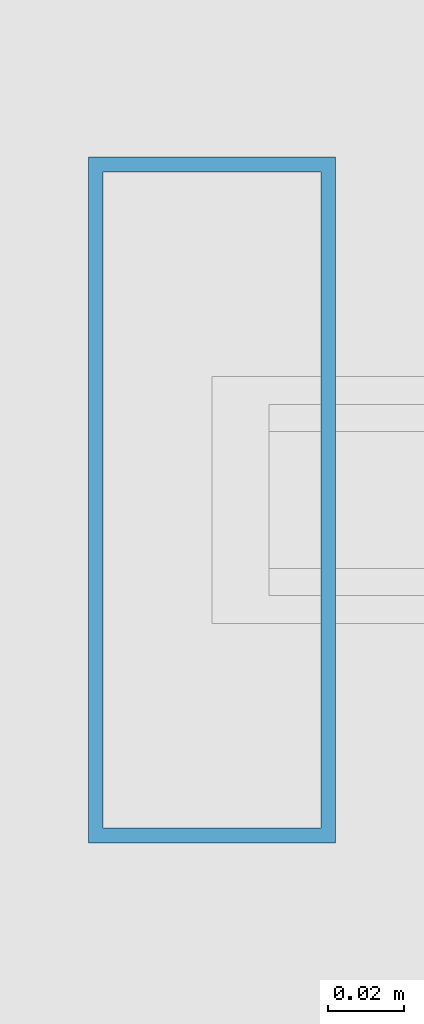
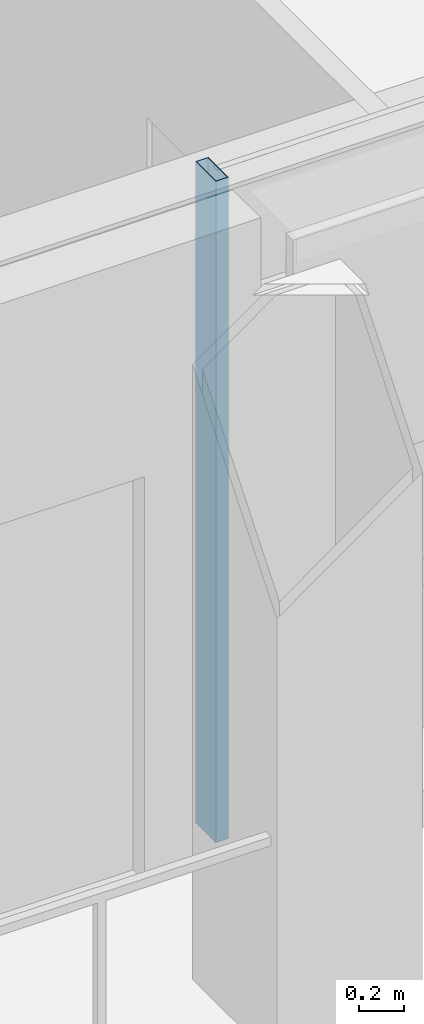
# One storey, part 7 of 33: 1 member, 1 element without a shape of its own.
"""IFC4 building model written with IfcOpenShell, lengths in metres."""

from ifc_helpers import new_model, si_unit, direction, frame, origin, origin_2d, place, context, subcontext, project, spatial, hollow_rectangle, extrude, material, layer, layer_set, material_profile, profile_set, type_object, element, aggregate, save


model = new_model("IFC4")

# Units and contexts
model_context = context("Model", 3, precision=1e-05, world=origin(), true_north=direction((0.0, 1.0)))
body_context = subcontext(model_context, "Body", "Model", "MODEL_VIEW")
ifc_project = project(units=[si_unit("LENGTHUNIT", "METRE"), si_unit("AREAUNIT", "SQUARE_METRE"), si_unit("VOLUMEUNIT", "CUBIC_METRE"), si_unit("PLANEANGLEUNIT", "RADIAN"), si_unit("MASSUNIT", "GRAM", prefix="KILO")], contexts=[model_context])

# Site, building, storey
site_placement = place(None, origin())
site = spatial("IfcSite", under=ifc_project, at=site_placement, CompositionType="ELEMENT")
building_placement = place(site_placement, origin())
building = spatial("IfcBuilding", under=site, at=building_placement, Name="Brelmoor Portico Tower", CompositionType="ELEMENT")
storey_placement = place(building_placement, frame((0.0, 0.0, 34.800048828125)))
storey = spatial("IfcBuildingStorey", under=building, at=storey_placement, Name="L08", CompositionType="ELEMENT", Elevation=34.800048828125)

# Curtain wall, member
ifc_material = material(Name="Anodised Aluminium Alloy 6063-T6", Category="aluminium")
ifc_layer = layer(ifc_material, 0.179931640625)
ifc_layer_set = layer_set([ifc_layer], Name="Anodised Aluminium Alloy 6063-T6")
curtain_wall_type = type_object("IfcCurtainWallType", Name="CW-TOWER-Z1", PredefinedType="NOTDEFINED", material=ifc_layer_set)
curtain_wall_placement = place(storey_placement, origin())
curtain_wall = element("IfcCurtainWall", 1, at=curtain_wall_placement, inside=storey, type_object=curtain_wall_type, Name="L08 Curtain Wall CW-L08-1R-1", PredefinedType="NOTDEFINED")
ifc_material_profile = material_profile(ifc_material, hollow_rectangle(XDim=0.06494140625, YDim=0.179931640625, WallThickness=0.00390625, at=origin_2d()), Name="ALU MULLION 65x180")
ifc_profile_set = profile_set([ifc_material_profile], Name="Anodised Aluminium Alloy 6063-T6")
member_type = type_object("IfcMemberType", Name="MB-CW-MULL-180", PredefinedType="MULLION", material=ifc_profile_set)
member_placement = place(storey_placement, frame((-3.39990234375, -21.550048828125, -0.199951171875), z_axis=(0.0, 0.0, 1.0), x_axis=(1.0, 0.0, 0.0)))
member = element("IfcMember", 2, at=member_placement, type_object=member_type, Name="CW-L08-1R-1 Mullion 00", PredefinedType="MULLION", context=body_context, shape_type="SweptSolid", body=[
    extrude(hollow_rectangle(XDim=0.06494140625, YDim=0.179931640625, WallThickness=0.00390625, at=origin_2d()), origin(), (0.0, 0.0, 1.0), 3.599853515625),
])
aggregate(curtain_wall, [member])

save(model, "model.ifc")
